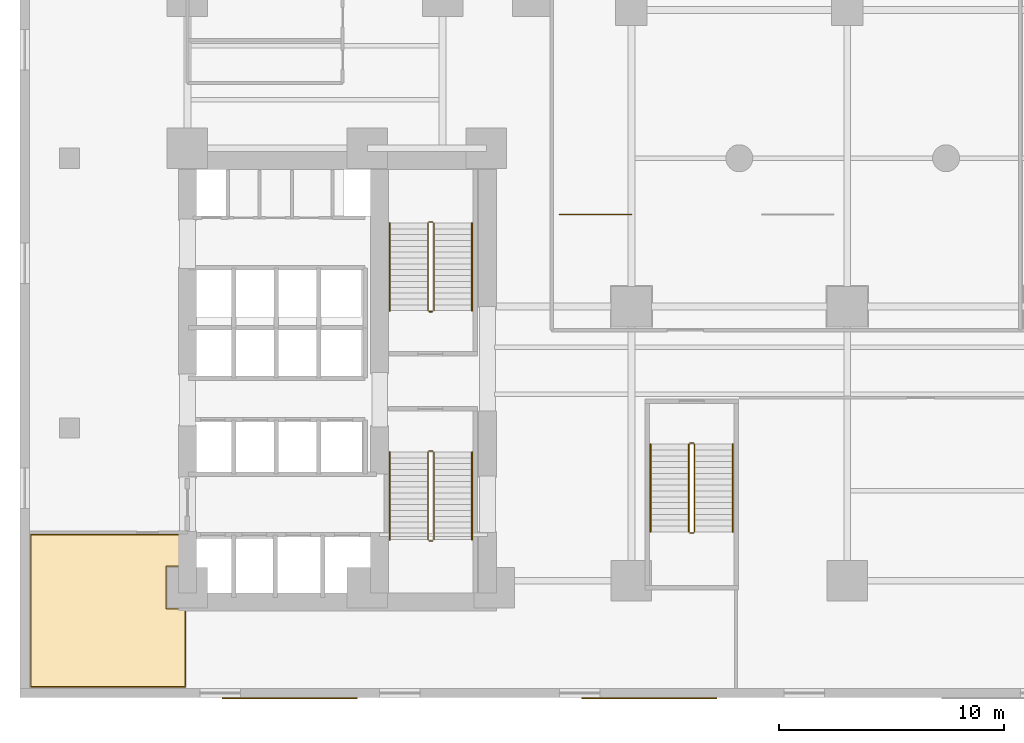
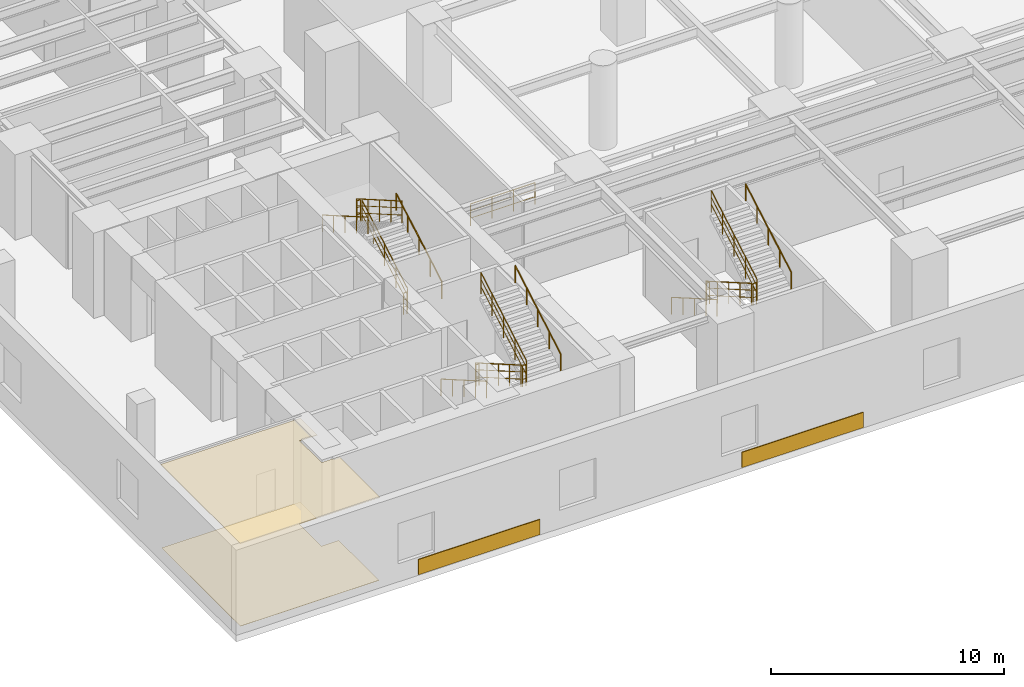
# One storey, part 15 of 16: 19 railings, 4 coverings.
"""IFC4 building model written with IfcOpenShell, lengths in metres."""

from ifc_helpers import new_model, si_unit, direction, frame, origin, origin_2d, place, context, subcontext, project, spatial, polyline, rectangle, circle, outline, extrude, material, layer, layer_set, type_object, element, save


model = new_model("IFC4")

# Units and contexts
model_context = context("Model", 3, precision=1e-05, world=origin(), true_north=direction((0.0, 1.0)))
body_context = subcontext(model_context, "Body", "Model", "MODEL_VIEW")
ifc_project = project(units=[si_unit("LENGTHUNIT", "METRE"), si_unit("AREAUNIT", "SQUARE_METRE"), si_unit("VOLUMEUNIT", "CUBIC_METRE"), si_unit("PLANEANGLEUNIT", "RADIAN"), si_unit("MASSUNIT", "GRAM", prefix="KILO")], contexts=[model_context])

# Site, building, storey
site_placement = place(None, origin())
site = spatial("IfcSite", under=ifc_project, at=site_placement, CompositionType="ELEMENT")
building_placement = place(site_placement, origin())
building = spatial("IfcBuilding", under=site, at=building_placement, Name="Kolvaren Waterfront Exchange", CompositionType="ELEMENT")
storey_placement = place(building_placement, frame((0.0, 0.0, 10.39990234375)))
storey = spatial("IfcBuildingStorey", under=building, at=storey_placement, Name="L03", CompositionType="ELEMENT", Elevation=10.39990234375)

# Railing
ifc_material_1 = material(Name="Anodised bronze aluminium and laminated glass", Category="aluminium")
railing_type_1 = type_object("IfcRailingType", Name="ARC-BALUSTRADE-1150", PredefinedType="BALUSTRADE", material=ifc_material_1)
railing_1_placement = place(storey_placement, frame((24.0, 21.5, 0.0)))
element("IfcRailing", 1, at=railing_1_placement, inside=storey, type_object=railing_type_1, Name="L03 gallery balustrade 1", PredefinedType="BALUSTRADE", context=body_context, shape_type="SweptSolid", body=[
    extrude(circle(Radius=0.02392578125, at=origin_2d()), frame((0.0, 0.0, 1.1259765625), z_axis=(1.0, 0.0, 0.0), x_axis=(0.0, 1.0, 0.0)), (0.0, 0.0, 1.0), 3.199951171875),
    extrude(circle(Radius=0.01611328125, at=origin_2d()), frame((0.0, 0.0, 0.390869140625), z_axis=(1.0, 0.0, 0.0), x_axis=(0.0, 1.0, 0.0)), (0.0, 0.0, 1.0), 3.199951171875),
    extrude(circle(Radius=0.01611328125, at=origin_2d()), frame((0.0, 0.0, 0.7705078125), z_axis=(1.0, 0.0, 0.0), x_axis=(0.0, 1.0, 0.0)), (0.0, 0.0, 1.0), 3.199951171875),
    extrude(circle(Radius=0.02099609375, at=origin_2d()), origin(), (0.0, 0.0, 1.0), 1.101806640625),
    extrude(circle(Radius=0.02099609375, at=origin_2d()), frame((1.066650390625, 0.0, 0.0)), (0.0, 0.0, 1.0), 1.101806640625),
    extrude(circle(Radius=0.02099609375, at=origin_2d()), frame((2.13330078125, 0.0, 0.0)), (0.0, 0.0, 1.0), 1.101806640625),
    extrude(circle(Radius=0.02099609375, at=origin_2d()), frame((3.199951171875, 0.0, 0.0)), (0.0, 0.0, 1.0), 1.101806640625),
])

# Coverings
ifc_material_2 = material(Name="Mineral fibre acoustic ceiling tile")
ifc_layer_1 = layer(ifc_material_2, 0.02490234375, Name="Mineral fibre acoustic ceiling tile")
ifc_layer_set_1 = layer_set([ifc_layer_1], Name="Mineral fibre acoustic ceiling tile")
covering_type_1 = type_object("IfcCoveringType", Name="ARC-CEIL-ACOUSTIC-25", PredefinedType="CEILING", material=ifc_layer_set_1)
covering_1_placement = place(storey_placement, frame((0.0, 0.0, 4.34521484375)))
element("IfcCovering", 2, at=covering_1_placement, inside=storey, type_object=covering_type_1, Name="L03 acoustic suspended ceiling 1", PredefinedType="CEILING", context=body_context, shape_type="SweptSolid", body=[
    extrude(outline(polyline([(7.385009765625, 3.9599609375), (6.510009765625, 3.9599609375), (6.510009765625, 5.840087890625), (7.385009765625, 5.840087890625), (7.385009765625, 7.284912109375), (0.465087890625, 7.284912109375), (0.465087890625, 0.465087890625), (7.385009765625, 0.465087890625), (7.385009765625, 3.9599609375)])), origin(), (0.0, 0.0, 1.0), 0.02490234375),
])
ifc_material_3 = material(Name="Honed grey-taupe granite stone", Category="masonry")
ifc_layer_2 = layer(ifc_material_3, 0.044921875, Name="Honed grey-taupe granite stone")
ifc_layer_set_2 = layer_set([ifc_layer_2], Name="Honed grey-taupe granite stone")
covering_type_2 = type_object("IfcCoveringType", Name="ARC-CLAD-GRANITE-45", PredefinedType="CLADDING", material=ifc_layer_set_2)
for number, where, z_axis, x_axis, name in (
    (3, (12.0, -0.02001953125, 0.05029296875), (0.0, 0.0, 1.0), (1.0, 0.0, 0.0), "L03 honed grey-taupe granite spandrel cladding S1"),
    (4, (28.0, -0.02001953125, 0.05029296875), (0.0, 0.0, 1.0), (1.0, 0.0, 0.0), "L03 honed grey-taupe granite spandrel cladding S2"),
):
    element("IfcCovering", number, at=place(storey_placement, frame(where, z_axis=z_axis, x_axis=x_axis)), inside=storey, type_object=covering_type_2, Name=name, PredefinedType="CLADDING", context=body_context, shape_type="SweptSolid", body=[
        extrude(rectangle(XDim=6.0, YDim=0.044921875, at=origin_2d()), origin(), (0.0, 0.0, 1.0), 0.800048828125),
    ])
ifc_material_4 = material(Name="Slip-resistant porcelain tile")
ifc_layer_3 = layer(ifc_material_4, 0.014892578125, Name="Slip-resistant porcelain tile")
ifc_layer_set_3 = layer_set([ifc_layer_3], Name="Slip-resistant porcelain tile")
covering_type_3 = type_object("IfcCoveringType", Name="ARC-FLR-PORC-15", PredefinedType="FLOORING", material=ifc_layer_set_3)
covering_2_placement = place(storey_placement, origin())
element("IfcCovering", 5, at=covering_2_placement, inside=storey, type_object=covering_type_3, Name="L03 floor finish 1", PredefinedType="FLOORING", context=body_context, shape_type="SweptSolid", body=[
    extrude(outline(polyline([(0.5, 7.25), (0.5, 0.5), (7.35009765625, 0.5), (7.35009765625, 3.93994140625), (6.489990234375, 3.93994140625), (6.489990234375, 5.860107421875), (7.35009765625, 5.860107421875), (7.35009765625, 7.25), (0.5, 7.25)])), origin(), (0.0, 0.0, 1.0), 0.01513671875),
])

# Railings
ifc_material_5 = material(Name="Stainless steel 316", Category="steel")
railing_type_2 = type_object("IfcRailingType", Name="ARC-GUARD-STAIR", PredefinedType="GUARDRAIL", material=ifc_material_5)
railing_2_placement = place(storey_placement, frame((18.14990234375, 10.929931640625, 0.150146484375)))
element("IfcRailing", 6, at=railing_2_placement, inside=storey, type_object=railing_type_2, Name="L03 ST1 stair guard 1", PredefinedType="GUARDRAIL", context=body_context, shape_type="SweptSolid", body=[
    extrude(circle(Radius=0.02392578125, at=origin_2d()), frame((0.0, 0.0, 1.1259765625), z_axis=(0.0, -0.866180169578, 0.49973184192), x_axis=(1.0, 0.0, 0.0)), (0.0, 0.0, 1.0), 4.50244140625),
    extrude(circle(Radius=0.01611328125, at=origin_2d()), frame((0.0, 0.0, 0.390869140625), z_axis=(0.0, -0.866180169578, 0.49973184192), x_axis=(1.0, 0.0, 0.0)), (0.0, 0.0, 1.0), 4.50244140625),
    extrude(circle(Radius=0.01611328125, at=origin_2d()), frame((0.0, 0.0, 0.7705078125), z_axis=(0.0, -0.866180169578, 0.49973184192), x_axis=(1.0, 0.0, 0.0)), (0.0, 0.0, 1.0), 4.50244140625),
    extrude(circle(Radius=0.02099609375, at=origin_2d()), origin(), (0.0, 0.0, 1.0), 1.101806640625),
    extrude(circle(Radius=0.02099609375, at=origin_2d()), frame((0.0, -0.97509765625, 0.5625)), (0.0, 0.0, 1.0), 1.101806640625),
    extrude(circle(Radius=0.02099609375, at=origin_2d()), frame((0.0, -1.949951171875, 1.125)), (0.0, 0.0, 1.0), 1.101806640625),
    extrude(circle(Radius=0.02099609375, at=origin_2d()), frame((0.0, -2.9248046875, 1.6875)), (0.0, 0.0, 1.0), 1.101806640625),
    extrude(circle(Radius=0.02099609375, at=origin_2d()), frame((0.0, -3.89990234375, 2.25)), (0.0, 0.0, 1.0), 1.101806640625),
])
railing_3_placement = place(storey_placement, frame((18.199951171875, 6.97998046875, 2.400146484375)))
element("IfcRailing", 7, at=railing_3_placement, inside=storey, type_object=railing_type_2, Name="L03 ST1 stair guard 2", PredefinedType="GUARDRAIL", context=body_context, shape_type="SweptSolid", body=[
    extrude(circle(Radius=0.02392578125, at=origin_2d()), frame((0.0, 0.0, 1.1259765625), z_axis=(1.0, 0.0, 0.0), x_axis=(0.0, 1.0, 0.0)), (0.0, 0.0, 1.0), 0.16015625),
    extrude(circle(Radius=0.01611328125, at=origin_2d()), frame((0.0, 0.0, 0.390869140625), z_axis=(1.0, 0.0, 0.0), x_axis=(0.0, 1.0, 0.0)), (0.0, 0.0, 1.0), 0.16015625),
    extrude(circle(Radius=0.01611328125, at=origin_2d()), frame((0.0, 0.0, 0.7705078125), z_axis=(1.0, 0.0, 0.0), x_axis=(0.0, 1.0, 0.0)), (0.0, 0.0, 1.0), 0.16015625),
    extrude(circle(Radius=0.02099609375, at=origin_2d()), origin(), (0.0, 0.0, 1.0), 1.101806640625),
    extrude(circle(Radius=0.02099609375, at=origin_2d()), frame((0.16015625, 0.0, 0.0)), (0.0, 0.0, 1.0), 1.101806640625),
])
railing_4_placement = place(storey_placement, frame((18.409912109375, 7.030029296875, 2.550048828125)))
element("IfcRailing", 8, at=railing_4_placement, inside=storey, type_object=railing_type_2, Name="L03 ST1 stair guard 3", PredefinedType="GUARDRAIL", context=body_context, shape_type="SweptSolid", body=[
    extrude(circle(Radius=0.02392578125, at=origin_2d()), frame((0.0, 0.0, 1.1259765625), z_axis=(0.0, 0.866180169578, 0.49973184192), x_axis=(-1.0, 0.0, 0.0)), (0.0, 0.0, 1.0), 4.50244140625),
    extrude(circle(Radius=0.01611328125, at=origin_2d()), frame((0.0, 0.0, 0.390869140625), z_axis=(0.0, 0.866180169578, 0.49973184192), x_axis=(-1.0, 0.0, 0.0)), (0.0, 0.0, 1.0), 4.50244140625),
    extrude(circle(Radius=0.01611328125, at=origin_2d()), frame((0.0, 0.0, 0.7705078125), z_axis=(0.0, 0.866180169578, 0.49973184192), x_axis=(-1.0, 0.0, 0.0)), (0.0, 0.0, 1.0), 4.50244140625),
    extrude(circle(Radius=0.02099609375, at=origin_2d()), origin(), (0.0, 0.0, 1.0), 1.101806640625),
    extrude(circle(Radius=0.02099609375, at=origin_2d()), frame((0.0, 0.97509765625, 0.5625)), (0.0, 0.0, 1.0), 1.101806640625),
    extrude(circle(Radius=0.02099609375, at=origin_2d()), frame((0.0, 1.949951171875, 1.125)), (0.0, 0.0, 1.0), 1.101806640625),
    extrude(circle(Radius=0.02099609375, at=origin_2d()), frame((0.0, 2.9248046875, 1.6875)), (0.0, 0.0, 1.0), 1.101806640625),
    extrude(circle(Radius=0.02099609375, at=origin_2d()), frame((0.0, 3.89990234375, 2.25)), (0.0, 0.0, 1.0), 1.101806640625),
])
railing_5_placement = place(storey_placement, frame((18.199951171875, 10.97998046875, 0.0)))
element("IfcRailing", 9, at=railing_5_placement, inside=storey, type_object=railing_type_2, Name="L03 ST1 stair guard 4", PredefinedType="GUARDRAIL", context=body_context, shape_type="SweptSolid", body=[
    extrude(circle(Radius=0.02392578125, at=origin_2d()), frame((0.0, 0.0, 1.1259765625), z_axis=(1.0, 0.0, 0.0), x_axis=(0.0, 1.0, 0.0)), (0.0, 0.0, 1.0), 0.16015625),
    extrude(circle(Radius=0.01611328125, at=origin_2d()), frame((0.0, 0.0, 0.390869140625), z_axis=(1.0, 0.0, 0.0), x_axis=(0.0, 1.0, 0.0)), (0.0, 0.0, 1.0), 0.16015625),
    extrude(circle(Radius=0.01611328125, at=origin_2d()), frame((0.0, 0.0, 0.7705078125), z_axis=(1.0, 0.0, 0.0), x_axis=(0.0, 1.0, 0.0)), (0.0, 0.0, 1.0), 0.16015625),
    extrude(circle(Radius=0.02099609375, at=origin_2d()), origin(), (0.0, 0.0, 1.0), 1.101806640625),
    extrude(circle(Radius=0.02099609375, at=origin_2d()), frame((0.16015625, 0.0, 0.0)), (0.0, 0.0, 1.0), 1.101806640625),
])
railing_6_placement = place(storey_placement, frame((18.409912109375, 17.219970703125, 0.150146484375)))
element("IfcRailing", 10, at=railing_6_placement, inside=storey, type_object=railing_type_2, Name="L03 ST2 stair guard 1", PredefinedType="GUARDRAIL", context=body_context, shape_type="SweptSolid", body=[
    extrude(circle(Radius=0.02392578125, at=origin_2d()), frame((0.0, 0.0, 1.1259765625), z_axis=(0.0, 0.866193710181, 0.499708371395), x_axis=(-1.0, 0.0, 0.0)), (0.0, 0.0, 1.0), 4.502685546875),
    extrude(circle(Radius=0.01611328125, at=origin_2d()), frame((0.0, 0.0, 0.390869140625), z_axis=(0.0, 0.866193710181, 0.499708371395), x_axis=(-1.0, 0.0, 0.0)), (0.0, 0.0, 1.0), 4.502685546875),
    extrude(circle(Radius=0.01611328125, at=origin_2d()), frame((0.0, 0.0, 0.7705078125), z_axis=(0.0, 0.866193710181, 0.499708371395), x_axis=(-1.0, 0.0, 0.0)), (0.0, 0.0, 1.0), 4.502685546875),
    extrude(circle(Radius=0.02099609375, at=origin_2d()), origin(), (0.0, 0.0, 1.0), 1.101806640625),
    extrude(circle(Radius=0.02099609375, at=origin_2d()), frame((0.0, 0.97509765625, 0.5625)), (0.0, 0.0, 1.0), 1.101806640625),
    extrude(circle(Radius=0.02099609375, at=origin_2d()), frame((0.0, 1.9501953125, 1.125)), (0.0, 0.0, 1.0), 1.101806640625),
    extrude(circle(Radius=0.02099609375, at=origin_2d()), frame((0.0, 2.925048828125, 1.6875)), (0.0, 0.0, 1.0), 1.101806640625),
    extrude(circle(Radius=0.02099609375, at=origin_2d()), frame((0.0, 3.900146484375, 2.25)), (0.0, 0.0, 1.0), 1.101806640625),
])
railing_7_placement = place(storey_placement, frame((18.360107421875, 21.169921875, 2.400146484375)))
element("IfcRailing", 11, at=railing_7_placement, inside=storey, type_object=railing_type_2, Name="L03 ST2 stair guard 2", PredefinedType="GUARDRAIL", context=body_context, shape_type="SweptSolid", body=[
    extrude(circle(Radius=0.02392578125, at=origin_2d()), frame((0.0, 0.0, 1.1259765625), z_axis=(-1.0, 0.0, 0.0), x_axis=(0.0, -1.0, 0.0)), (0.0, 0.0, 1.0), 0.16015625),
    extrude(circle(Radius=0.01611328125, at=origin_2d()), frame((0.0, 0.0, 0.390869140625), z_axis=(-1.0, 0.0, 0.0), x_axis=(0.0, -1.0, 0.0)), (0.0, 0.0, 1.0), 0.16015625),
    extrude(circle(Radius=0.01611328125, at=origin_2d()), frame((0.0, 0.0, 0.7705078125), z_axis=(-1.0, 0.0, 0.0), x_axis=(0.0, -1.0, 0.0)), (0.0, 0.0, 1.0), 0.16015625),
    extrude(circle(Radius=0.02099609375, at=origin_2d()), origin(), (0.0, 0.0, 1.0), 1.101806640625),
    extrude(circle(Radius=0.02099609375, at=origin_2d()), frame((-0.16015625, 0.0, 0.0)), (0.0, 0.0, 1.0), 1.101806640625),
])
railing_8_placement = place(storey_placement, frame((18.14990234375, 21.1201171875, 2.550048828125)))
element("IfcRailing", 12, at=railing_8_placement, inside=storey, type_object=railing_type_2, Name="L03 ST2 stair guard 3", PredefinedType="GUARDRAIL", context=body_context, shape_type="SweptSolid", body=[
    extrude(circle(Radius=0.02392578125, at=origin_2d()), frame((0.0, 0.0, 1.1259765625), z_axis=(0.0, -0.866193710181, 0.499708371395), x_axis=(1.0, 0.0, 0.0)), (0.0, 0.0, 1.0), 4.502685546875),
    extrude(circle(Radius=0.01611328125, at=origin_2d()), frame((0.0, 0.0, 0.390869140625), z_axis=(0.0, -0.866193710181, 0.499708371395), x_axis=(1.0, 0.0, 0.0)), (0.0, 0.0, 1.0), 4.502685546875),
    extrude(circle(Radius=0.01611328125, at=origin_2d()), frame((0.0, 0.0, 0.7705078125), z_axis=(0.0, -0.866193710181, 0.499708371395), x_axis=(1.0, 0.0, 0.0)), (0.0, 0.0, 1.0), 4.502685546875),
    extrude(circle(Radius=0.02099609375, at=origin_2d()), origin(), (0.0, 0.0, 1.0), 1.101806640625),
    extrude(circle(Radius=0.02099609375, at=origin_2d()), frame((0.0, -0.97509765625, 0.5625)), (0.0, 0.0, 1.0), 1.101806640625),
    extrude(circle(Radius=0.02099609375, at=origin_2d()), frame((0.0, -1.9501953125, 1.125)), (0.0, 0.0, 1.0), 1.101806640625),
    extrude(circle(Radius=0.02099609375, at=origin_2d()), frame((0.0, -2.925048828125, 1.6875)), (0.0, 0.0, 1.0), 1.101806640625),
    extrude(circle(Radius=0.02099609375, at=origin_2d()), frame((0.0, -3.900146484375, 2.25)), (0.0, 0.0, 1.0), 1.101806640625),
])
railing_9_placement = place(storey_placement, frame((18.360107421875, 17.169921875, 0.0)))
element("IfcRailing", 13, at=railing_9_placement, inside=storey, type_object=railing_type_2, Name="L03 ST2 stair guard 4", PredefinedType="GUARDRAIL", context=body_context, shape_type="SweptSolid", body=[
    extrude(circle(Radius=0.02392578125, at=origin_2d()), frame((0.0, 0.0, 1.1259765625), z_axis=(-1.0, 0.0, 0.0), x_axis=(0.0, -1.0, 0.0)), (0.0, 0.0, 1.0), 0.16015625),
    extrude(circle(Radius=0.01611328125, at=origin_2d()), frame((0.0, 0.0, 0.390869140625), z_axis=(-1.0, 0.0, 0.0), x_axis=(0.0, -1.0, 0.0)), (0.0, 0.0, 1.0), 0.16015625),
    extrude(circle(Radius=0.01611328125, at=origin_2d()), frame((0.0, 0.0, 0.7705078125), z_axis=(-1.0, 0.0, 0.0), x_axis=(0.0, -1.0, 0.0)), (0.0, 0.0, 1.0), 0.16015625),
    extrude(circle(Radius=0.02099609375, at=origin_2d()), origin(), (0.0, 0.0, 1.0), 1.101806640625),
    extrude(circle(Radius=0.02099609375, at=origin_2d()), frame((-0.16015625, 0.0, 0.0)), (0.0, 0.0, 1.0), 1.101806640625),
])
railing_10_placement = place(storey_placement, frame((29.75, 11.280029296875, 0.150146484375)))
element("IfcRailing", 14, at=railing_10_placement, inside=storey, type_object=railing_type_2, Name="L03 ST3 stair guard 1", PredefinedType="GUARDRAIL", context=body_context, shape_type="SweptSolid", body=[
    extrude(circle(Radius=0.02392578125, at=origin_2d()), frame((0.0, 0.0, 1.1259765625), z_axis=(0.0, -0.866193710181, 0.499708371395), x_axis=(1.0, 0.0, 0.0)), (0.0, 0.0, 1.0), 4.502685546875),
    extrude(circle(Radius=0.01611328125, at=origin_2d()), frame((0.0, 0.0, 0.390869140625), z_axis=(0.0, -0.866193710181, 0.499708371395), x_axis=(1.0, 0.0, 0.0)), (0.0, 0.0, 1.0), 4.502685546875),
    extrude(circle(Radius=0.01611328125, at=origin_2d()), frame((0.0, 0.0, 0.7705078125), z_axis=(0.0, -0.866193710181, 0.499708371395), x_axis=(1.0, 0.0, 0.0)), (0.0, 0.0, 1.0), 4.502685546875),
    extrude(circle(Radius=0.02099609375, at=origin_2d()), origin(), (0.0, 0.0, 1.0), 1.101806640625),
    extrude(circle(Radius=0.02099609375, at=origin_2d()), frame((0.0, -0.97509765625, 0.5625)), (0.0, 0.0, 1.0), 1.101806640625),
    extrude(circle(Radius=0.02099609375, at=origin_2d()), frame((0.0, -1.9501953125, 1.125)), (0.0, 0.0, 1.0), 1.101806640625),
    extrude(circle(Radius=0.02099609375, at=origin_2d()), frame((0.0, -2.925048828125, 1.6875)), (0.0, 0.0, 1.0), 1.101806640625),
    extrude(circle(Radius=0.02099609375, at=origin_2d()), frame((0.0, -3.900146484375, 2.25)), (0.0, 0.0, 1.0), 1.101806640625),
])
railing_11_placement = place(storey_placement, frame((29.800048828125, 7.330078125, 2.400146484375)))
element("IfcRailing", 15, at=railing_11_placement, inside=storey, type_object=railing_type_2, Name="L03 ST3 stair guard 2", PredefinedType="GUARDRAIL", context=body_context, shape_type="SweptSolid", body=[
    extrude(circle(Radius=0.02392578125, at=origin_2d()), frame((0.0, 0.0, 1.1259765625), z_axis=(1.0, 0.0, 0.0), x_axis=(0.0, 1.0, 0.0)), (0.0, 0.0, 1.0), 0.159912109375),
    extrude(circle(Radius=0.01611328125, at=origin_2d()), frame((0.0, 0.0, 0.390869140625), z_axis=(1.0, 0.0, 0.0), x_axis=(0.0, 1.0, 0.0)), (0.0, 0.0, 1.0), 0.159912109375),
    extrude(circle(Radius=0.01611328125, at=origin_2d()), frame((0.0, 0.0, 0.7705078125), z_axis=(1.0, 0.0, 0.0), x_axis=(0.0, 1.0, 0.0)), (0.0, 0.0, 1.0), 0.159912109375),
    extrude(circle(Radius=0.02099609375, at=origin_2d()), origin(), (0.0, 0.0, 1.0), 1.101806640625),
    extrude(circle(Radius=0.02099609375, at=origin_2d()), frame((0.159912109375, 0.0, 0.0)), (0.0, 0.0, 1.0), 1.101806640625),
])
railing_12_placement = place(storey_placement, frame((30.010009765625, 7.3798828125, 2.550048828125)))
element("IfcRailing", 16, at=railing_12_placement, inside=storey, type_object=railing_type_2, Name="L03 ST3 stair guard 3", PredefinedType="GUARDRAIL", context=body_context, shape_type="SweptSolid", body=[
    extrude(circle(Radius=0.02392578125, at=origin_2d()), frame((0.0, 0.0, 1.1259765625), z_axis=(0.0, 0.866193710181, 0.499708371395), x_axis=(-1.0, 0.0, 0.0)), (0.0, 0.0, 1.0), 4.502685546875),
    extrude(circle(Radius=0.01611328125, at=origin_2d()), frame((0.0, 0.0, 0.390869140625), z_axis=(0.0, 0.866193710181, 0.499708371395), x_axis=(-1.0, 0.0, 0.0)), (0.0, 0.0, 1.0), 4.502685546875),
    extrude(circle(Radius=0.01611328125, at=origin_2d()), frame((0.0, 0.0, 0.7705078125), z_axis=(0.0, 0.866193710181, 0.499708371395), x_axis=(-1.0, 0.0, 0.0)), (0.0, 0.0, 1.0), 4.502685546875),
    extrude(circle(Radius=0.02099609375, at=origin_2d()), origin(), (0.0, 0.0, 1.0), 1.101806640625),
    extrude(circle(Radius=0.02099609375, at=origin_2d()), frame((0.0, 0.97509765625, 0.5625)), (0.0, 0.0, 1.0), 1.101806640625),
    extrude(circle(Radius=0.02099609375, at=origin_2d()), frame((0.0, 1.9501953125, 1.125)), (0.0, 0.0, 1.0), 1.101806640625),
    extrude(circle(Radius=0.02099609375, at=origin_2d()), frame((0.0, 2.925048828125, 1.6875)), (0.0, 0.0, 1.0), 1.101806640625),
    extrude(circle(Radius=0.02099609375, at=origin_2d()), frame((0.0, 3.900146484375, 2.25)), (0.0, 0.0, 1.0), 1.101806640625),
])
railing_13_placement = place(storey_placement, frame((29.800048828125, 11.330078125, 0.0)))
element("IfcRailing", 17, at=railing_13_placement, inside=storey, type_object=railing_type_2, Name="L03 ST3 stair guard 4", PredefinedType="GUARDRAIL", context=body_context, shape_type="SweptSolid", body=[
    extrude(circle(Radius=0.02392578125, at=origin_2d()), frame((0.0, 0.0, 1.1259765625), z_axis=(1.0, 0.0, 0.0), x_axis=(0.0, 1.0, 0.0)), (0.0, 0.0, 1.0), 0.159912109375),
    extrude(circle(Radius=0.01611328125, at=origin_2d()), frame((0.0, 0.0, 0.390869140625), z_axis=(1.0, 0.0, 0.0), x_axis=(0.0, 1.0, 0.0)), (0.0, 0.0, 1.0), 0.159912109375),
    extrude(circle(Radius=0.01611328125, at=origin_2d()), frame((0.0, 0.0, 0.7705078125), z_axis=(1.0, 0.0, 0.0), x_axis=(0.0, 1.0, 0.0)), (0.0, 0.0, 1.0), 0.159912109375),
    extrude(circle(Radius=0.02099609375, at=origin_2d()), origin(), (0.0, 0.0, 1.0), 1.101806640625),
    extrude(circle(Radius=0.02099609375, at=origin_2d()), frame((0.159912109375, 0.0, 0.0)), (0.0, 0.0, 1.0), 1.101806640625),
])
railing_type_3 = type_object("IfcRailingType", Name="ARC-HANDRAIL-900", PredefinedType="HANDRAIL", material=ifc_material_5)
railing_14_placement = place(storey_placement, frame((16.449951171875, 10.929931640625, 0.150146484375)))
element("IfcRailing", 18, at=railing_14_placement, inside=storey, type_object=railing_type_3, Name="L03 ST1 stair handrail 1", PredefinedType="HANDRAIL", context=body_context, shape_type="SweptSolid", body=[
    extrude(circle(Radius=0.02392578125, at=origin_2d()), frame((0.0, 0.0, 0.8759765625), z_axis=(0.0, -0.866180169578, 0.49973184192), x_axis=(1.0, 0.0, 0.0)), (0.0, 0.0, 1.0), 4.50244140625),
    extrude(circle(Radius=0.02099609375, at=origin_2d()), origin(), (0.0, 0.0, 1.0), 0.851806640625),
    extrude(circle(Radius=0.02099609375, at=origin_2d()), frame((0.0, -0.97509765625, 0.5625)), (0.0, 0.0, 1.0), 0.851806640625),
    extrude(circle(Radius=0.02099609375, at=origin_2d()), frame((0.0, -1.949951171875, 1.125)), (0.0, 0.0, 1.0), 0.851806640625),
    extrude(circle(Radius=0.02099609375, at=origin_2d()), frame((0.0, -2.9248046875, 1.6875)), (0.0, 0.0, 1.0), 0.851806640625),
    extrude(circle(Radius=0.02099609375, at=origin_2d()), frame((0.0, -3.89990234375, 2.25)), (0.0, 0.0, 1.0), 0.851806640625),
])
railing_15_placement = place(storey_placement, frame((20.110107421875, 7.030029296875, 2.550048828125)))
element("IfcRailing", 19, at=railing_15_placement, inside=storey, type_object=railing_type_3, Name="L03 ST1 stair handrail 2", PredefinedType="HANDRAIL", context=body_context, shape_type="SweptSolid", body=[
    extrude(circle(Radius=0.02392578125, at=origin_2d()), frame((0.0, 0.0, 0.8759765625), z_axis=(0.0, 0.866180169578, 0.49973184192), x_axis=(-1.0, 0.0, 0.0)), (0.0, 0.0, 1.0), 4.50244140625),
    extrude(circle(Radius=0.02099609375, at=origin_2d()), origin(), (0.0, 0.0, 1.0), 0.851806640625),
    extrude(circle(Radius=0.02099609375, at=origin_2d()), frame((0.0, 0.97509765625, 0.5625)), (0.0, 0.0, 1.0), 0.851806640625),
    extrude(circle(Radius=0.02099609375, at=origin_2d()), frame((0.0, 1.949951171875, 1.125)), (0.0, 0.0, 1.0), 0.851806640625),
    extrude(circle(Radius=0.02099609375, at=origin_2d()), frame((0.0, 2.9248046875, 1.6875)), (0.0, 0.0, 1.0), 0.851806640625),
    extrude(circle(Radius=0.02099609375, at=origin_2d()), frame((0.0, 3.89990234375, 2.25)), (0.0, 0.0, 1.0), 0.851806640625),
])
railing_16_placement = place(storey_placement, frame((20.110107421875, 17.219970703125, 0.150146484375)))
element("IfcRailing", 20, at=railing_16_placement, inside=storey, type_object=railing_type_3, Name="L03 ST2 stair handrail 1", PredefinedType="HANDRAIL", context=body_context, shape_type="SweptSolid", body=[
    extrude(circle(Radius=0.02392578125, at=origin_2d()), frame((0.0, 0.0, 0.8759765625), z_axis=(0.0, 0.866193710181, 0.499708371395), x_axis=(-1.0, 0.0, 0.0)), (0.0, 0.0, 1.0), 4.502685546875),
    extrude(circle(Radius=0.02099609375, at=origin_2d()), origin(), (0.0, 0.0, 1.0), 0.851806640625),
    extrude(circle(Radius=0.02099609375, at=origin_2d()), frame((0.0, 0.97509765625, 0.5625)), (0.0, 0.0, 1.0), 0.851806640625),
    extrude(circle(Radius=0.02099609375, at=origin_2d()), frame((0.0, 1.9501953125, 1.125)), (0.0, 0.0, 1.0), 0.851806640625),
    extrude(circle(Radius=0.02099609375, at=origin_2d()), frame((0.0, 2.925048828125, 1.6875)), (0.0, 0.0, 1.0), 0.851806640625),
    extrude(circle(Radius=0.02099609375, at=origin_2d()), frame((0.0, 3.900146484375, 2.25)), (0.0, 0.0, 1.0), 0.851806640625),
])
for number, where, name in (
    (21, (16.449951171875, 21.1201171875, 2.550048828125), "L03 ST2 stair handrail 2"),
    (22, (28.050048828125, 11.280029296875, 0.150146484375), "L03 ST3 stair handrail 1"),
):
    element("IfcRailing", number, at=place(storey_placement, frame(where)), inside=storey, type_object=railing_type_3, Name=name, PredefinedType="HANDRAIL", context=body_context, shape_type="SweptSolid", body=[
        extrude(circle(Radius=0.02392578125, at=origin_2d()), frame((0.0, 0.0, 0.8759765625), z_axis=(0.0, -0.866193710181, 0.499708371395), x_axis=(1.0, 0.0, 0.0)), (0.0, 0.0, 1.0), 4.502685546875),
        extrude(circle(Radius=0.02099609375, at=origin_2d()), origin(), (0.0, 0.0, 1.0), 0.851806640625),
        extrude(circle(Radius=0.02099609375, at=origin_2d()), frame((0.0, -0.97509765625, 0.5625)), (0.0, 0.0, 1.0), 0.851806640625),
        extrude(circle(Radius=0.02099609375, at=origin_2d()), frame((0.0, -1.9501953125, 1.125)), (0.0, 0.0, 1.0), 0.851806640625),
        extrude(circle(Radius=0.02099609375, at=origin_2d()), frame((0.0, -2.925048828125, 1.6875)), (0.0, 0.0, 1.0), 0.851806640625),
        extrude(circle(Radius=0.02099609375, at=origin_2d()), frame((0.0, -3.900146484375, 2.25)), (0.0, 0.0, 1.0), 0.851806640625),
    ])
railing_17_placement = place(storey_placement, frame((31.7099609375, 7.3798828125, 2.550048828125)))
element("IfcRailing", 23, at=railing_17_placement, inside=storey, type_object=railing_type_3, Name="L03 ST3 stair handrail 2", PredefinedType="HANDRAIL", context=body_context, shape_type="SweptSolid", body=[
    extrude(circle(Radius=0.02392578125, at=origin_2d()), frame((0.0, 0.0, 0.8759765625), z_axis=(0.0, 0.866193710181, 0.499708371395), x_axis=(-1.0, 0.0, 0.0)), (0.0, 0.0, 1.0), 4.502685546875),
    extrude(circle(Radius=0.02099609375, at=origin_2d()), origin(), (0.0, 0.0, 1.0), 0.851806640625),
    extrude(circle(Radius=0.02099609375, at=origin_2d()), frame((0.0, 0.97509765625, 0.5625)), (0.0, 0.0, 1.0), 0.851806640625),
    extrude(circle(Radius=0.02099609375, at=origin_2d()), frame((0.0, 1.9501953125, 1.125)), (0.0, 0.0, 1.0), 0.851806640625),
    extrude(circle(Radius=0.02099609375, at=origin_2d()), frame((0.0, 2.925048828125, 1.6875)), (0.0, 0.0, 1.0), 0.851806640625),
    extrude(circle(Radius=0.02099609375, at=origin_2d()), frame((0.0, 3.900146484375, 2.25)), (0.0, 0.0, 1.0), 0.851806640625),
])

save(model, "model.ifc")
